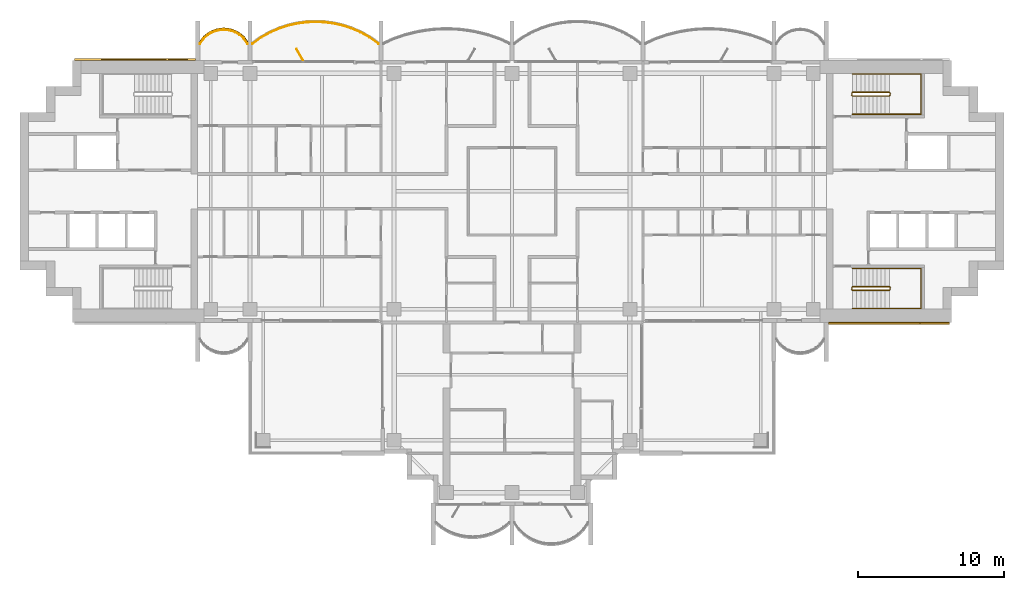
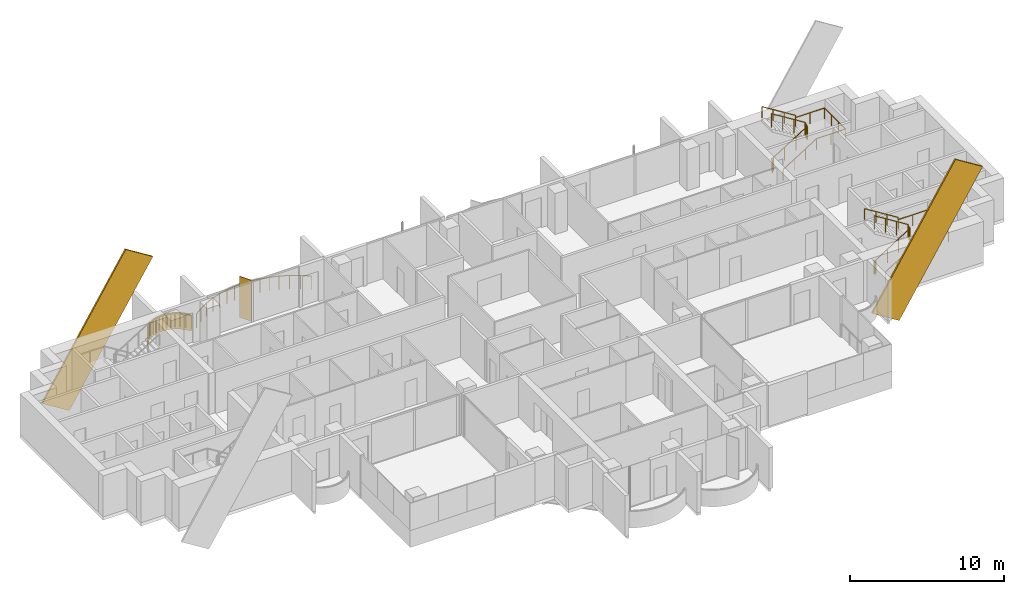
# One storey, part 16 of 17: 6 railings, 3 coverings, 1 shading device.
"""IFC4 building model written with IfcOpenShell, lengths in metres."""

from ifc_helpers import new_model, si_unit, direction, frame, origin, origin_2d, place, context, subcontext, project, spatial, polyline, rectangle, outline, extrude, material, layer, layer_set, material_profile, profile_set, type_object, element, save


model = new_model("IFC4")

# Units and contexts
model_context = context("Model", 3, precision=1e-05, world=origin(), true_north=direction((0.0, 1.0)))
body_context = subcontext(model_context, "Body", "Model", "MODEL_VIEW")
ifc_project = project(units=[si_unit("LENGTHUNIT", "METRE"), si_unit("AREAUNIT", "SQUARE_METRE"), si_unit("VOLUMEUNIT", "CUBIC_METRE"), si_unit("PLANEANGLEUNIT", "RADIAN"), si_unit("MASSUNIT", "GRAM", prefix="KILO")], contexts=[model_context])

# Site, building, storey
site_placement = place(None, origin())
site = spatial("IfcSite", under=ifc_project, at=site_placement, CompositionType="ELEMENT")
building_placement = place(site_placement, origin())
building = spatial("IfcBuilding", under=site, at=building_placement, Name="Perihelion Cross Residences", CompositionType="ELEMENT")
storey_placement = place(building_placement, frame((0.0, 0.0, 187.60009765625)))
storey = spatial("IfcBuildingStorey", under=building, at=storey_placement, Name="L46", CompositionType="ELEMENT", Elevation=187.60009765625)

# Covering
ifc_material_1 = material(Name="Bronze anodised aluminium", Category="aluminium")
ifc_layer_1 = layer(ifc_material_1, 0.070068359375)
ifc_layer_set_1 = layer_set([ifc_layer_1], Name="Balcony fascia 1300")
covering_type_1 = type_object("IfcCoveringType", Name="Balcony fascia 1300", PredefinedType="CLADDING", material=ifc_layer_set_1)
covering_placement = place(storey_placement, frame((0.0, 0.0, -0.2001953125)))
element("IfcCovering", 1, at=covering_placement, inside=storey, type_object=covering_type_1, Name="Fascia BF1 L46 west side north bay 2", PredefinedType="CLADDING", context=body_context, shape_type="SweptSolid", body=[
    extrude(outline(polyline([(-18.373779296875, 10.616455078125), (-18.6591796875, 10.86328125), (-18.9443359375, 11.031494140625), (-19.229736328125, 11.142578125), (-19.514892578125, 11.206298828125), (-19.800048828125, 11.22705078125), (-20.085205078125, 11.206298828125), (-20.370361328125, 11.142578125), (-20.655517578125, 11.031494140625), (-20.94091796875, 10.86328125), (-21.226318359375, 10.616455078125), (-21.449951171875, 10.31689453125), (-21.449951171875, 10.199951171875), (-21.175048828125, 10.568603515625), (-20.89990234375, 10.806396484375), (-20.625, 10.96875), (-20.35009765625, 11.07568359375), (-20.074951171875, 11.136962890625), (-19.800048828125, 11.156982421875), (-19.52490234375, 11.136962890625), (-19.25, 11.07568359375), (-18.97509765625, 10.96875), (-18.699951171875, 10.806396484375), (-18.425048828125, 10.568603515625), (-18.14990234375, 10.199951171875), (-18.14990234375, 10.31689453125), (-18.373779296875, 10.616455078125)])), origin(), (0.0, 0.0, 1.0), 1.300048828125),
])

# Railings
ifc_material_2 = material(Name="Bronze anodised aluminium", Category="aluminium")
railing_type_1 = type_object("IfcRailingType", Name="Balcony guard 1100", PredefinedType="GUARDRAIL", material=ifc_material_2)
railing_1_placement = place(storey_placement, frame((-9.175048828125, 10.139892578125, 0.0)))
element("IfcRailing", 2, at=railing_1_placement, inside=storey, type_object=railing_type_1, Name="Guard GU1 L46 west side north bay 1 balcony", PredefinedType="GUARDRAIL", context=body_context, shape_type="SweptSolid", body=[
    extrude(rectangle(XDim=0.048095703125, YDim=0.048095703125, at=origin_2d()), frame((0.0, 0.0, 1.076171875), z_axis=(-0.808063294873, 0.589095672603, 0.0), x_axis=(-0.589095672603, -0.808063294873, 0.0)), (0.0, 0.0, 1.0), 0.738037109375),
    extrude(rectangle(XDim=0.048095703125, YDim=0.048095703125, at=origin_2d()), frame((-0.596435546875, 0.434814453125, 1.076171875), z_axis=(-0.874578399268, 0.484884134133, 0.0), x_axis=(-0.484884134133, -0.874578399268, 0.0)), (0.0, 0.0, 1.0), 0.71044921875),
    extrude(rectangle(XDim=0.048095703125, YDim=0.048095703125, at=origin_2d()), frame((-1.2177734375, 0.779296875, 1.076171875), z_axis=(-0.917984792895, 0.396615582162, 0.0), x_axis=(-0.396615582162, -0.917984792895, 0.0)), (0.0, 0.0, 1.0), 0.677001953125),
    extrude(rectangle(XDim=0.048095703125, YDim=0.048095703125, at=origin_2d()), frame((-1.83935546875, 1.0478515625, 1.076171875), z_axis=(-0.951157585372, 0.308705762482, 0.0), x_axis=(-0.308705762482, -0.951157585372, 0.0)), (0.0, 0.0, 1.0), 0.6533203125),
    extrude(rectangle(XDim=0.048095703125, YDim=0.048095703125, at=origin_2d()), frame((-2.460693359375, 1.24951171875, 1.076171875), z_axis=(-0.975414431917, 0.220378506229, 0.0), x_axis=(-0.220378506229, -0.975414431917, 0.0)), (0.0, 0.0, 1.0), 0.636962890625),
    extrude(rectangle(XDim=0.048095703125, YDim=0.048095703125, at=origin_2d()), frame((-3.08203125, 1.389892578125, 1.076171875), z_axis=(-0.991251686862, 0.131985201039, 0.0), x_axis=(-0.131985201039, -0.991251686862, 0.0)), (0.0, 0.0, 1.0), 0.626953125),
    extrude(rectangle(XDim=0.048095703125, YDim=0.048095703125, at=origin_2d()), frame((-3.70361328125, 1.47265625, 1.076171875), z_axis=(-0.999033058467, 0.04396530552, 0.0), x_axis=(-0.04396530552, -0.999033058467, 0.0)), (0.0, 0.0, 1.0), 0.621826171875),
    extrude(rectangle(XDim=0.048095703125, YDim=0.048095703125, at=origin_2d()), frame((-4.324951171875, 1.5, 1.076171875), z_axis=(-0.999033058467, -0.04396530552, 0.0), x_axis=(0.04396530552, -0.999033058467, 0.0)), (0.0, 0.0, 1.0), 0.621826171875),
    extrude(rectangle(XDim=0.048095703125, YDim=0.048095703125, at=origin_2d()), frame((-4.9462890625, 1.47265625, 1.076171875), z_axis=(-0.991251686862, -0.131985201039, 0.0), x_axis=(0.131985201039, -0.991251686862, 0.0)), (0.0, 0.0, 1.0), 0.626953125),
    extrude(rectangle(XDim=0.048095703125, YDim=0.048095703125, at=origin_2d()), frame((-5.56787109375, 1.389892578125, 1.076171875), z_axis=(-0.975414431917, -0.220378506229, 0.0), x_axis=(0.220378506229, -0.975414431917, 0.0)), (0.0, 0.0, 1.0), 0.636962890625),
    extrude(rectangle(XDim=0.048095703125, YDim=0.048095703125, at=origin_2d()), frame((-6.189208984375, 1.24951171875, 1.076171875), z_axis=(-0.951157585372, -0.308705762482, 0.0), x_axis=(0.308705762482, -0.951157585372, 0.0)), (0.0, 0.0, 1.0), 0.6533203125),
    extrude(rectangle(XDim=0.048095703125, YDim=0.048095703125, at=origin_2d()), frame((-6.810546875, 1.0478515625, 1.076171875), z_axis=(-0.917984792895, -0.396615582162, 0.0), x_axis=(0.396615582162, -0.917984792895, 0.0)), (0.0, 0.0, 1.0), 0.677001953125),
    extrude(rectangle(XDim=0.048095703125, YDim=0.048095703125, at=origin_2d()), frame((-7.43212890625, 0.779296875, 1.076171875), z_axis=(-0.874578399268, -0.484884134133, 0.0), x_axis=(0.484884134133, -0.874578399268, 0.0)), (0.0, 0.0, 1.0), 0.71044921875),
    extrude(rectangle(XDim=0.048095703125, YDim=0.048095703125, at=origin_2d()), frame((-8.053466796875, 0.434814453125, 1.076171875), z_axis=(-0.808063294873, -0.589095672603, 0.0), x_axis=(0.589095672603, -0.808063294873, 0.0)), (0.0, 0.0, 1.0), 0.738037109375),
    extrude(rectangle(XDim=0.0419921875, YDim=0.0419921875, at=origin_2d()), origin(), (0.0, 0.0, 1.0), 1.052001953125),
    extrude(rectangle(XDim=0.0419921875, YDim=0.0419921875, at=origin_2d()), frame((-0.596435546875, 0.434814453125, 0.0)), (0.0, 0.0, 1.0), 1.052001953125),
    extrude(rectangle(XDim=0.0419921875, YDim=0.0419921875, at=origin_2d()), frame((-1.2177734375, 0.779296875, 0.0)), (0.0, 0.0, 1.0), 1.052001953125),
    extrude(rectangle(XDim=0.0419921875, YDim=0.0419921875, at=origin_2d()), frame((-1.83935546875, 1.0478515625, 0.0)), (0.0, 0.0, 1.0), 1.052001953125),
    extrude(rectangle(XDim=0.0419921875, YDim=0.0419921875, at=origin_2d()), frame((-2.460693359375, 1.24951171875, 0.0)), (0.0, 0.0, 1.0), 1.052001953125),
    extrude(rectangle(XDim=0.0419921875, YDim=0.0419921875, at=origin_2d()), frame((-3.08203125, 1.389892578125, 0.0)), (0.0, 0.0, 1.0), 1.052001953125),
    extrude(rectangle(XDim=0.0419921875, YDim=0.0419921875, at=origin_2d()), frame((-3.70361328125, 1.47265625, 0.0)), (0.0, 0.0, 1.0), 1.052001953125),
    extrude(rectangle(XDim=0.0419921875, YDim=0.0419921875, at=origin_2d()), frame((-4.324951171875, 1.5, 0.0)), (0.0, 0.0, 1.0), 1.052001953125),
    extrude(rectangle(XDim=0.0419921875, YDim=0.0419921875, at=origin_2d()), frame((-4.9462890625, 1.47265625, 0.0)), (0.0, 0.0, 1.0), 1.052001953125),
    extrude(rectangle(XDim=0.0419921875, YDim=0.0419921875, at=origin_2d()), frame((-5.56787109375, 1.389892578125, 0.0)), (0.0, 0.0, 1.0), 1.052001953125),
    extrude(rectangle(XDim=0.0419921875, YDim=0.0419921875, at=origin_2d()), frame((-6.189208984375, 1.24951171875, 0.0)), (0.0, 0.0, 1.0), 1.052001953125),
    extrude(rectangle(XDim=0.0419921875, YDim=0.0419921875, at=origin_2d()), frame((-6.810546875, 1.0478515625, 0.0)), (0.0, 0.0, 1.0), 1.052001953125),
    extrude(rectangle(XDim=0.0419921875, YDim=0.0419921875, at=origin_2d()), frame((-7.43212890625, 0.779296875, 0.0)), (0.0, 0.0, 1.0), 1.052001953125),
    extrude(rectangle(XDim=0.0419921875, YDim=0.0419921875, at=origin_2d()), frame((-8.053466796875, 0.434814453125, 0.0)), (0.0, 0.0, 1.0), 1.052001953125),
    extrude(rectangle(XDim=0.0419921875, YDim=0.0419921875, at=origin_2d()), frame((-8.64990234375, 0.0, 0.0)), (0.0, 0.0, 1.0), 1.052001953125),
])
railing_2_placement = place(storey_placement, frame((-18.175048828125, 10.139892578125, 0.0)))
element("IfcRailing", 3, at=railing_2_placement, inside=storey, type_object=railing_type_1, Name="Guard GU1 L46 west side north bay 2 balcony", PredefinedType="GUARDRAIL", context=body_context, shape_type="SweptSolid", body=[
    extrude(rectangle(XDim=0.048095703125, YDim=0.048095703125, at=origin_2d()), frame((0.0, 0.0, 1.076171875), z_axis=(-0.561260132269, 0.827639452857, 0.0), x_axis=(-0.827639452857, -0.561260132269, 0.0)), (0.0, 0.0, 1.0), 0.4453125),
    extrude(rectangle(XDim=0.048095703125, YDim=0.048095703125, at=origin_2d()), frame((-0.25, 0.36865234375, 1.076171875), z_axis=(-0.756309278473, 0.654214242658, 0.0), x_axis=(-0.654214242658, -0.756309278473, 0.0)), (0.0, 0.0, 1.0), 0.363525390625),
    extrude(rectangle(XDim=0.048095703125, YDim=0.048095703125, at=origin_2d()), frame((-0.52490234375, 0.6064453125, 1.076171875), z_axis=(-0.861245845072, 0.508188542123, 0.0), x_axis=(-0.508188542123, -0.861245845072, 0.0)), (0.0, 0.0, 1.0), 0.319580078125),
    extrude(rectangle(XDim=0.048095703125, YDim=0.048095703125, at=origin_2d()), frame((-0.800048828125, 0.768798828125, 1.076171875), z_axis=(-0.931973602183, 0.362526143656, 0.0), x_axis=(-0.362526143656, -0.931973602183, 0.0)), (0.0, 0.0, 1.0), 0.294921875),
    extrude(rectangle(XDim=0.048095703125, YDim=0.048095703125, at=origin_2d()), frame((-1.074951171875, 0.875732421875, 1.076171875), z_axis=(-0.976044077717, 0.217572880557, 0.0), x_axis=(-0.217572880557, -0.976044077717, 0.0)), (0.0, 0.0, 1.0), 0.28173828125),
    extrude(rectangle(XDim=0.048095703125, YDim=0.048095703125, at=origin_2d()), frame((-1.349853515625, 0.93701171875, 1.076171875), z_axis=(-0.997363488337, 0.072567707226, 0.0), x_axis=(-0.072567707226, -0.997363488337, 0.0)), (0.0, 0.0, 1.0), 0.27587890625),
    extrude(rectangle(XDim=0.048095703125, YDim=0.048095703125, at=origin_2d()), frame((-1.625, 0.95703125, 1.076171875), z_axis=(-0.997358821833, -0.072631814734, 0.0), x_axis=(0.072631814734, -0.997358821833, 0.0)), (0.0, 0.0, 1.0), 0.275634765625),
    extrude(rectangle(XDim=0.048095703125, YDim=0.048095703125, at=origin_2d()), frame((-1.89990234375, 0.93701171875, 1.076171875), z_axis=(-0.976085059389, -0.21738895289, 0.0), x_axis=(0.21738895289, -0.976085059389, 0.0)), (0.0, 0.0, 1.0), 0.281982421875),
    extrude(rectangle(XDim=0.048095703125, YDim=0.048095703125, at=origin_2d()), frame((-2.175048828125, 0.875732421875, 1.076171875), z_axis=(-0.931973602183, -0.362526143656, 0.0), x_axis=(0.362526143656, -0.931973602183, 0.0)), (0.0, 0.0, 1.0), 0.294921875),
    extrude(rectangle(XDim=0.048095703125, YDim=0.048095703125, at=origin_2d()), frame((-2.449951171875, 0.768798828125, 1.076171875), z_axis=(-0.861048292884, -0.508523192511, 0.0), x_axis=(0.508523192511, -0.861048292884, 0.0)), (0.0, 0.0, 1.0), 0.3193359375),
    extrude(rectangle(XDim=0.048095703125, YDim=0.048095703125, at=origin_2d()), frame((-2.724853515625, 0.6064453125, 1.076171875), z_axis=(-0.756596535164, -0.653882009982, 0.0), x_axis=(0.653882009982, -0.756596535164, 0.0)), (0.0, 0.0, 1.0), 0.36376953125),
    extrude(rectangle(XDim=0.048095703125, YDim=0.048095703125, at=origin_2d()), frame((-3.0, 0.36865234375, 1.076171875), z_axis=(-0.561260132269, -0.827639452857, 0.0), x_axis=(0.827639452857, -0.561260132269, 0.0)), (0.0, 0.0, 1.0), 0.4453125),
    extrude(rectangle(XDim=0.0419921875, YDim=0.0419921875, at=origin_2d()), origin(), (0.0, 0.0, 1.0), 1.052001953125),
    extrude(rectangle(XDim=0.0419921875, YDim=0.0419921875, at=origin_2d()), frame((-0.25, 0.36865234375, 0.0)), (0.0, 0.0, 1.0), 1.052001953125),
    extrude(rectangle(XDim=0.0419921875, YDim=0.0419921875, at=origin_2d()), frame((-0.52490234375, 0.6064453125, 0.0)), (0.0, 0.0, 1.0), 1.052001953125),
    extrude(rectangle(XDim=0.0419921875, YDim=0.0419921875, at=origin_2d()), frame((-0.800048828125, 0.768798828125, 0.0)), (0.0, 0.0, 1.0), 1.052001953125),
    extrude(rectangle(XDim=0.0419921875, YDim=0.0419921875, at=origin_2d()), frame((-1.074951171875, 0.875732421875, 0.0)), (0.0, 0.0, 1.0), 1.052001953125),
    extrude(rectangle(XDim=0.0419921875, YDim=0.0419921875, at=origin_2d()), frame((-1.349853515625, 0.93701171875, 0.0)), (0.0, 0.0, 1.0), 1.052001953125),
    extrude(rectangle(XDim=0.0419921875, YDim=0.0419921875, at=origin_2d()), frame((-1.625, 0.95703125, 0.0)), (0.0, 0.0, 1.0), 1.052001953125),
    extrude(rectangle(XDim=0.0419921875, YDim=0.0419921875, at=origin_2d()), frame((-1.89990234375, 0.93701171875, 0.0)), (0.0, 0.0, 1.0), 1.052001953125),
    extrude(rectangle(XDim=0.0419921875, YDim=0.0419921875, at=origin_2d()), frame((-2.175048828125, 0.875732421875, 0.0)), (0.0, 0.0, 1.0), 1.052001953125),
    extrude(rectangle(XDim=0.0419921875, YDim=0.0419921875, at=origin_2d()), frame((-2.449951171875, 0.768798828125, 0.0)), (0.0, 0.0, 1.0), 1.052001953125),
    extrude(rectangle(XDim=0.0419921875, YDim=0.0419921875, at=origin_2d()), frame((-2.724853515625, 0.6064453125, 0.0)), (0.0, 0.0, 1.0), 1.052001953125),
    extrude(rectangle(XDim=0.0419921875, YDim=0.0419921875, at=origin_2d()), frame((-3.0, 0.36865234375, 0.0)), (0.0, 0.0, 1.0), 1.052001953125),
    extrude(rectangle(XDim=0.0419921875, YDim=0.0419921875, at=origin_2d()), frame((-3.25, 0.0, 0.0)), (0.0, 0.0, 1.0), 1.052001953125),
])

# Coverings
ifc_material_3 = material(Name="Bronze anodised aluminium", Category="aluminium")
ifc_material_profile = material_profile(ifc_material_3, rectangle(XDim=0.125, YDim=2.39990234375, at=origin_2d()), Name="Bronze cladding band 2400")
ifc_profile_set = profile_set([ifc_material_profile], Name="Bronze anodised aluminium")
covering_type_2 = type_object("IfcCoveringType", Name="Bronze cladding band 2400", PredefinedType="CLADDING", material=ifc_profile_set)
for number, where, z_axis, x_axis, name in (
    (4, (22.767578125, -9.0625, -1.679931640625), (0.529915403603, 0.0, 0.848050508534), (0.0, 1.0, 0.0), "Core cladding band, east core"),
    (5, (-29.0322265625, 9.0625, -1.679931640625), (0.529915403603, 0.0, 0.848050508534), (0.0, 1.0, 0.0), "Core cladding band, west core"),
):
    element("IfcCovering", number, at=place(storey_placement, frame(where, z_axis=z_axis, x_axis=x_axis)), inside=storey, type_object=covering_type_2, Name=name, PredefinedType="CLADDING", context=body_context, shape_type="SweptSolid", body=[
        extrude(rectangle(XDim=0.125, YDim=2.39990234375, at=origin_2d()), origin(), (0.0, 0.0, 1.0), 11.822021484375),
    ])

# Shading device
ifc_material_4 = material(Name="Bronze anodised aluminium", Category="aluminium")
ifc_layer_2 = layer(ifc_material_4, 0.050048828125)
ifc_layer_set_2 = layer_set([ifc_layer_2], Name="Bronze fin 900")
shading_device_type = type_object("IfcShadingDeviceType", Name="Bronze fin 900", PredefinedType="USERDEFINED", material=ifc_layer_set_2)
shading_device_placement = place(storey_placement, frame((-14.574951171875, 9.3896484375, 0.0), z_axis=(0.0, 0.0, 1.0), x_axis=(-0.5, 0.866025403784, 0.0)))
element("IfcShadingDevice", 6, at=shading_device_placement, inside=storey, type_object=shading_device_type, Name="Fin FN1 L46 west side north bay 1", ObjectType="FIN", PredefinedType="USERDEFINED", context=body_context, shape_type="SweptSolid", body=[
    extrude(rectangle(XDim=0.89990234375, YDim=0.050048828125, at=origin_2d()), origin(), (0.0, 0.0, 1.0), 3.25),
])

# Railings
ifc_material_5 = material(Name="Stainless steel", Category="steel")
railing_type_2 = type_object("IfcRailingType", Name="Stair guard 1100", PredefinedType="GUARDRAIL", material=ifc_material_5)
railing_3_placement = place(storey_placement, frame((23.35009765625, 6.75, 0.0)))
element("IfcRailing", 7, at=railing_3_placement, inside=storey, type_object=railing_type_2, Name="L46 ST-E1 stair guard 1", PredefinedType="GUARDRAIL", context=body_context, shape_type="SweptSolid", body=[
    extrude(rectangle(XDim=0.048095703125, YDim=0.048095703125, at=origin_2d()), frame((0.0, 0.0, 1.076171875), z_axis=(0.0, -1.0, 0.0), x_axis=(1.0, 0.0, 0.0)), (0.0, 0.0, 1.0), 0.14990234375),
    extrude(rectangle(XDim=0.048095703125, YDim=0.048095703125, at=origin_2d()), frame((0.0, -0.14990234375, 1.076171875), z_axis=(0.264179342666, -0.265474339444, 0.927217692888), x_axis=(0.708833529934, 0.705375805398, 0.0)), (0.0, 0.0, 1.0), 0.1884765625),
    extrude(rectangle(XDim=0.048095703125, YDim=0.048095703125, at=origin_2d()), frame((0.0498046875, -0.199951171875, 1.2509765625), z_axis=(0.847970611238, 0.0, 0.530043245855), x_axis=(0.0, 1.0, 0.0)), (0.0, 0.0, 1.0), 2.971923828125),
    extrude(rectangle(XDim=0.048095703125, YDim=0.048095703125, at=origin_2d()), frame((2.56982421875, -0.199951171875, 2.826171875), z_axis=(0.707106781187, 0.707106781187, 0.0), x_axis=(-0.707106781187, 0.707106781187, 0.0)), (0.0, 0.0, 1.0), 0.07080078125),
    extrude(rectangle(XDim=0.048095703125, YDim=0.048095703125, at=origin_2d()), frame((2.619873046875, -0.14990234375, 2.826171875), z_axis=(0.0, 1.0, 0.0), x_axis=(-1.0, 0.0, 0.0)), (0.0, 0.0, 1.0), 0.14990234375),
    extrude(rectangle(XDim=0.048095703125, YDim=0.048095703125, at=origin_2d()), frame((2.619873046875, 0.0, 2.826171875), z_axis=(-0.265383341853, 0.265383341853, 0.926899867156), x_axis=(-0.707106781187, -0.707106781187, 0.0)), (0.0, 0.0, 1.0), 0.1884765625),
    extrude(rectangle(XDim=0.048095703125, YDim=0.048095703125, at=origin_2d()), frame((2.56982421875, 0.050048828125, 3.0009765625), z_axis=(-0.847970611238, 0.0, 0.530043245855), x_axis=(0.0, -1.0, 0.0)), (0.0, 0.0, 1.0), 2.971923828125),
    extrude(rectangle(XDim=0.0419921875, YDim=0.0419921875, at=origin_2d()), origin(), (0.0, 0.0, 1.0), 1.052001953125),
    extrude(rectangle(XDim=0.0419921875, YDim=0.0419921875, at=origin_2d()), frame((0.0, -0.14990234375, 0.0)), (0.0, 0.0, 1.0), 1.052001953125),
    extrude(rectangle(XDim=0.0419921875, YDim=0.0419921875, at=origin_2d()), frame((0.0498046875, -0.199951171875, 0.1748046875)), (0.0, 0.0, 1.0), 1.052001953125),
    extrude(rectangle(XDim=0.0419921875, YDim=0.0419921875, at=origin_2d()), frame((0.889892578125, -0.199951171875, 0.699951171875)), (0.0, 0.0, 1.0), 1.052001953125),
    extrude(rectangle(XDim=0.0419921875, YDim=0.0419921875, at=origin_2d()), frame((1.729736328125, -0.199951171875, 1.224853515625)), (0.0, 0.0, 1.0), 1.052001953125),
    extrude(rectangle(XDim=0.0419921875, YDim=0.0419921875, at=origin_2d()), frame((2.56982421875, -0.199951171875, 1.75)), (0.0, 0.0, 1.0), 1.052001953125),
    extrude(rectangle(XDim=0.0419921875, YDim=0.0419921875, at=origin_2d()), frame((2.619873046875, -0.14990234375, 1.75)), (0.0, 0.0, 1.0), 1.052001953125),
    extrude(rectangle(XDim=0.0419921875, YDim=0.0419921875, at=origin_2d()), frame((2.619873046875, 0.0, 1.75)), (0.0, 0.0, 1.0), 1.052001953125),
    extrude(rectangle(XDim=0.0419921875, YDim=0.0419921875, at=origin_2d()), frame((2.56982421875, 0.050048828125, 1.9248046875)), (0.0, 0.0, 1.0), 1.052001953125),
    extrude(rectangle(XDim=0.0419921875, YDim=0.0419921875, at=origin_2d()), frame((1.729736328125, 0.050048828125, 2.449951171875)), (0.0, 0.0, 1.0), 1.052001953125),
    extrude(rectangle(XDim=0.0419921875, YDim=0.0419921875, at=origin_2d()), frame((0.889892578125, 0.050048828125, 2.974853515625)), (0.0, 0.0, 1.0), 1.052001953125),
    extrude(rectangle(XDim=0.0419921875, YDim=0.0419921875, at=origin_2d()), frame((0.0498046875, 0.050048828125, 3.5)), (0.0, 0.0, 1.0), 1.052001953125),
])
railing_4_placement = place(storey_placement, frame((23.35009765625, -6.60009765625, 0.0)))
element("IfcRailing", 8, at=railing_4_placement, inside=storey, type_object=railing_type_2, Name="L46 ST-E2 stair guard 1", PredefinedType="GUARDRAIL", context=body_context, shape_type="SweptSolid", body=[
    extrude(rectangle(XDim=0.048095703125, YDim=0.048095703125, at=origin_2d()), frame((0.0, 0.0, 1.076171875), z_axis=(0.0, -1.0, 0.0), x_axis=(1.0, 0.0, 0.0)), (0.0, 0.0, 1.0), 0.14990234375),
    extrude(rectangle(XDim=0.048095703125, YDim=0.048095703125, at=origin_2d()), frame((0.0, -0.14990234375, 1.076171875), z_axis=(0.264179342666, -0.265474339444, 0.927217692888), x_axis=(0.708833529934, 0.705375805398, 0.0)), (0.0, 0.0, 1.0), 0.1884765625),
    extrude(rectangle(XDim=0.048095703125, YDim=0.048095703125, at=origin_2d()), frame((0.0498046875, -0.199951171875, 1.2509765625), z_axis=(0.847970611238, 0.0, 0.530043245855), x_axis=(0.0, 1.0, 0.0)), (0.0, 0.0, 1.0), 2.971923828125),
    extrude(rectangle(XDim=0.048095703125, YDim=0.048095703125, at=origin_2d()), frame((2.56982421875, -0.199951171875, 2.826171875), z_axis=(0.707106781187, 0.707106781187, 0.0), x_axis=(-0.707106781187, 0.707106781187, 0.0)), (0.0, 0.0, 1.0), 0.07080078125),
    extrude(rectangle(XDim=0.048095703125, YDim=0.048095703125, at=origin_2d()), frame((2.619873046875, -0.14990234375, 2.826171875), z_axis=(0.0, 1.0, 0.0), x_axis=(-1.0, 0.0, 0.0)), (0.0, 0.0, 1.0), 0.14990234375),
    extrude(rectangle(XDim=0.048095703125, YDim=0.048095703125, at=origin_2d()), frame((2.619873046875, 0.0, 2.826171875), z_axis=(-0.265383341853, 0.265383341853, 0.926899867156), x_axis=(-0.707106781187, -0.707106781187, 0.0)), (0.0, 0.0, 1.0), 0.1884765625),
    extrude(rectangle(XDim=0.048095703125, YDim=0.048095703125, at=origin_2d()), frame((2.56982421875, 0.050048828125, 3.0009765625), z_axis=(-0.847970611238, 0.0, 0.530043245855), x_axis=(0.0, -1.0, 0.0)), (0.0, 0.0, 1.0), 2.971923828125),
    extrude(rectangle(XDim=0.0419921875, YDim=0.0419921875, at=origin_2d()), origin(), (0.0, 0.0, 1.0), 1.052001953125),
    extrude(rectangle(XDim=0.0419921875, YDim=0.0419921875, at=origin_2d()), frame((0.0, -0.14990234375, 0.0)), (0.0, 0.0, 1.0), 1.052001953125),
    extrude(rectangle(XDim=0.0419921875, YDim=0.0419921875, at=origin_2d()), frame((0.0498046875, -0.199951171875, 0.1748046875)), (0.0, 0.0, 1.0), 1.052001953125),
    extrude(rectangle(XDim=0.0419921875, YDim=0.0419921875, at=origin_2d()), frame((0.889892578125, -0.199951171875, 0.699951171875)), (0.0, 0.0, 1.0), 1.052001953125),
    extrude(rectangle(XDim=0.0419921875, YDim=0.0419921875, at=origin_2d()), frame((1.729736328125, -0.199951171875, 1.224853515625)), (0.0, 0.0, 1.0), 1.052001953125),
    extrude(rectangle(XDim=0.0419921875, YDim=0.0419921875, at=origin_2d()), frame((2.56982421875, -0.199951171875, 1.75)), (0.0, 0.0, 1.0), 1.052001953125),
    extrude(rectangle(XDim=0.0419921875, YDim=0.0419921875, at=origin_2d()), frame((2.619873046875, -0.14990234375, 1.75)), (0.0, 0.0, 1.0), 1.052001953125),
    extrude(rectangle(XDim=0.0419921875, YDim=0.0419921875, at=origin_2d()), frame((2.619873046875, 0.0, 1.75)), (0.0, 0.0, 1.0), 1.052001953125),
    extrude(rectangle(XDim=0.0419921875, YDim=0.0419921875, at=origin_2d()), frame((2.56982421875, 0.050048828125, 1.9248046875)), (0.0, 0.0, 1.0), 1.052001953125),
    extrude(rectangle(XDim=0.0419921875, YDim=0.0419921875, at=origin_2d()), frame((1.729736328125, 0.050048828125, 2.449951171875)), (0.0, 0.0, 1.0), 1.052001953125),
    extrude(rectangle(XDim=0.0419921875, YDim=0.0419921875, at=origin_2d()), frame((0.889892578125, 0.050048828125, 2.974853515625)), (0.0, 0.0, 1.0), 1.052001953125),
    extrude(rectangle(XDim=0.0419921875, YDim=0.0419921875, at=origin_2d()), frame((0.0498046875, 0.050048828125, 3.5)), (0.0, 0.0, 1.0), 1.052001953125),
])
ifc_material_6 = material(Name="Stainless steel", Category="steel")
railing_type_3 = type_object("IfcRailingType", Name="Stair handrail 900", PredefinedType="HANDRAIL", material=ifc_material_6)
railing_5_placement = place(storey_placement, frame((23.39990234375, 5.300048828125, 0.1748046875)))
element("IfcRailing", 9, at=railing_5_placement, inside=storey, type_object=railing_type_3, Name="L46 ST-E1 stair handrail 1", PredefinedType="HANDRAIL", context=body_context, shape_type="SweptSolid", body=[
    extrude(rectangle(XDim=0.048095703125, YDim=0.048095703125, at=origin_2d()), frame((0.0, 0.0, 0.8759765625), z_axis=(0.847970611238, 0.0, 0.530043245855), x_axis=(0.0, 1.0, 0.0)), (0.0, 0.0, 1.0), 2.971923828125),
    extrude(rectangle(XDim=0.048095703125, YDim=0.048095703125, at=origin_2d()), frame((2.52001953125, 0.0, 2.451171875), z_axis=(1.0, 0.0, 0.0), x_axis=(0.0, 1.0, 0.0)), (0.0, 0.0, 1.0), 2.18017578125),
    extrude(rectangle(XDim=0.048095703125, YDim=0.048095703125, at=origin_2d()), frame((4.7001953125, 0.0, 2.451171875), z_axis=(0.0, 1.0, 0.0), x_axis=(-1.0, 0.0, 0.0)), (0.0, 0.0, 1.0), 2.75),
    extrude(rectangle(XDim=0.048095703125, YDim=0.048095703125, at=origin_2d()), frame((4.7001953125, 2.75, 2.451171875), z_axis=(-1.0, 0.0, 0.0), x_axis=(0.0, -1.0, 0.0)), (0.0, 0.0, 1.0), 2.18017578125),
    extrude(rectangle(XDim=0.048095703125, YDim=0.048095703125, at=origin_2d()), frame((2.52001953125, 2.75, 2.451171875), z_axis=(0.0, 0.0, 1.0), x_axis=(1.0, 0.0, 0.0)), (0.0, 0.0, 1.0), 0.1748046875),
    extrude(rectangle(XDim=0.048095703125, YDim=0.048095703125, at=origin_2d()), frame((2.52001953125, 2.75, 2.6259765625), z_axis=(-0.847970611238, 0.0, 0.530043245855), x_axis=(0.0, -1.0, 0.0)), (0.0, 0.0, 1.0), 2.971923828125),
    extrude(rectangle(XDim=0.0419921875, YDim=0.0419921875, at=origin_2d()), origin(), (0.0, 0.0, 1.0), 0.851806640625),
    extrude(rectangle(XDim=0.0419921875, YDim=0.0419921875, at=origin_2d()), frame((0.840087890625, 0.0, 0.525146484375)), (0.0, 0.0, 1.0), 0.851806640625),
    extrude(rectangle(XDim=0.0419921875, YDim=0.0419921875, at=origin_2d()), frame((1.679931640625, 0.0, 1.050048828125)), (0.0, 0.0, 1.0), 0.851806640625),
    extrude(rectangle(XDim=0.0419921875, YDim=0.0419921875, at=origin_2d()), frame((2.52001953125, 0.0, 1.5751953125)), (0.0, 0.0, 1.0), 0.851806640625),
    extrude(rectangle(XDim=0.0419921875, YDim=0.0419921875, at=origin_2d()), frame((3.610107421875, 0.0, 1.5751953125)), (0.0, 0.0, 1.0), 0.851806640625),
    extrude(rectangle(XDim=0.0419921875, YDim=0.0419921875, at=origin_2d()), frame((4.7001953125, 0.0, 1.5751953125)), (0.0, 0.0, 1.0), 0.851806640625),
    extrude(rectangle(XDim=0.0419921875, YDim=0.0419921875, at=origin_2d()), frame((4.7001953125, 0.916748046875, 1.5751953125)), (0.0, 0.0, 1.0), 0.851806640625),
    extrude(rectangle(XDim=0.0419921875, YDim=0.0419921875, at=origin_2d()), frame((4.7001953125, 1.833251953125, 1.5751953125)), (0.0, 0.0, 1.0), 0.851806640625),
    extrude(rectangle(XDim=0.0419921875, YDim=0.0419921875, at=origin_2d()), frame((4.7001953125, 2.75, 1.5751953125)), (0.0, 0.0, 1.0), 0.851806640625),
    extrude(rectangle(XDim=0.0419921875, YDim=0.0419921875, at=origin_2d()), frame((3.610107421875, 2.75, 1.5751953125)), (0.0, 0.0, 1.0), 0.851806640625),
    extrude(rectangle(XDim=0.0419921875, YDim=0.0419921875, at=origin_2d()), frame((2.52001953125, 2.75, 1.5751953125)), (0.0, 0.0, 1.0), 0.851806640625),
    extrude(rectangle(XDim=0.0419921875, YDim=0.0419921875, at=origin_2d()), frame((2.52001953125, 2.75, 1.75)), (0.0, 0.0, 1.0), 0.851806640625),
    extrude(rectangle(XDim=0.0419921875, YDim=0.0419921875, at=origin_2d()), frame((1.679931640625, 2.75, 2.275146484375)), (0.0, 0.0, 1.0), 0.851806640625),
    extrude(rectangle(XDim=0.0419921875, YDim=0.0419921875, at=origin_2d()), frame((0.840087890625, 2.75, 2.800048828125)), (0.0, 0.0, 1.0), 0.851806640625),
    extrude(rectangle(XDim=0.0419921875, YDim=0.0419921875, at=origin_2d()), frame((0.0, 2.75, 3.3251953125)), (0.0, 0.0, 1.0), 0.851806640625),
])
railing_6_placement = place(storey_placement, frame((23.39990234375, -8.050048828125, 0.1748046875)))
element("IfcRailing", 10, at=railing_6_placement, inside=storey, type_object=railing_type_3, Name="L46 ST-E2 stair handrail 1", PredefinedType="HANDRAIL", context=body_context, shape_type="SweptSolid", body=[
    extrude(rectangle(XDim=0.048095703125, YDim=0.048095703125, at=origin_2d()), frame((0.0, 0.0, 0.8759765625), z_axis=(0.847970611238, 0.0, 0.530043245855), x_axis=(0.0, 1.0, 0.0)), (0.0, 0.0, 1.0), 2.971923828125),
    extrude(rectangle(XDim=0.048095703125, YDim=0.048095703125, at=origin_2d()), frame((2.52001953125, 0.0, 2.451171875), z_axis=(1.0, 0.0, 0.0), x_axis=(0.0, 1.0, 0.0)), (0.0, 0.0, 1.0), 2.18017578125),
    extrude(rectangle(XDim=0.048095703125, YDim=0.048095703125, at=origin_2d()), frame((4.7001953125, 0.0, 2.451171875), z_axis=(0.0, 1.0, 0.0), x_axis=(-1.0, 0.0, 0.0)), (0.0, 0.0, 1.0), 2.75),
    extrude(rectangle(XDim=0.048095703125, YDim=0.048095703125, at=origin_2d()), frame((4.7001953125, 2.75, 2.451171875), z_axis=(-1.0, 0.0, 0.0), x_axis=(0.0, -1.0, 0.0)), (0.0, 0.0, 1.0), 2.18017578125),
    extrude(rectangle(XDim=0.048095703125, YDim=0.048095703125, at=origin_2d()), frame((2.52001953125, 2.75, 2.451171875), z_axis=(0.0, 0.0, 1.0), x_axis=(1.0, 0.0, 0.0)), (0.0, 0.0, 1.0), 0.1748046875),
    extrude(rectangle(XDim=0.048095703125, YDim=0.048095703125, at=origin_2d()), frame((2.52001953125, 2.75, 2.6259765625), z_axis=(-0.847970611238, 0.0, 0.530043245855), x_axis=(0.0, -1.0, 0.0)), (0.0, 0.0, 1.0), 2.971923828125),
    extrude(rectangle(XDim=0.0419921875, YDim=0.0419921875, at=origin_2d()), origin(), (0.0, 0.0, 1.0), 0.851806640625),
    extrude(rectangle(XDim=0.0419921875, YDim=0.0419921875, at=origin_2d()), frame((0.840087890625, 0.0, 0.525146484375)), (0.0, 0.0, 1.0), 0.851806640625),
    extrude(rectangle(XDim=0.0419921875, YDim=0.0419921875, at=origin_2d()), frame((1.679931640625, 0.0, 1.050048828125)), (0.0, 0.0, 1.0), 0.851806640625),
    extrude(rectangle(XDim=0.0419921875, YDim=0.0419921875, at=origin_2d()), frame((2.52001953125, 0.0, 1.5751953125)), (0.0, 0.0, 1.0), 0.851806640625),
    extrude(rectangle(XDim=0.0419921875, YDim=0.0419921875, at=origin_2d()), frame((3.610107421875, 0.0, 1.5751953125)), (0.0, 0.0, 1.0), 0.851806640625),
    extrude(rectangle(XDim=0.0419921875, YDim=0.0419921875, at=origin_2d()), frame((4.7001953125, 0.0, 1.5751953125)), (0.0, 0.0, 1.0), 0.851806640625),
    extrude(rectangle(XDim=0.0419921875, YDim=0.0419921875, at=origin_2d()), frame((4.7001953125, 0.916748046875, 1.5751953125)), (0.0, 0.0, 1.0), 0.851806640625),
    extrude(rectangle(XDim=0.0419921875, YDim=0.0419921875, at=origin_2d()), frame((4.7001953125, 1.833251953125, 1.5751953125)), (0.0, 0.0, 1.0), 0.851806640625),
    extrude(rectangle(XDim=0.0419921875, YDim=0.0419921875, at=origin_2d()), frame((4.7001953125, 2.75, 1.5751953125)), (0.0, 0.0, 1.0), 0.851806640625),
    extrude(rectangle(XDim=0.0419921875, YDim=0.0419921875, at=origin_2d()), frame((3.610107421875, 2.75, 1.5751953125)), (0.0, 0.0, 1.0), 0.851806640625),
    extrude(rectangle(XDim=0.0419921875, YDim=0.0419921875, at=origin_2d()), frame((2.52001953125, 2.75, 1.5751953125)), (0.0, 0.0, 1.0), 0.851806640625),
    extrude(rectangle(XDim=0.0419921875, YDim=0.0419921875, at=origin_2d()), frame((2.52001953125, 2.75, 1.75)), (0.0, 0.0, 1.0), 0.851806640625),
    extrude(rectangle(XDim=0.0419921875, YDim=0.0419921875, at=origin_2d()), frame((1.679931640625, 2.75, 2.275146484375)), (0.0, 0.0, 1.0), 0.851806640625),
    extrude(rectangle(XDim=0.0419921875, YDim=0.0419921875, at=origin_2d()), frame((0.840087890625, 2.75, 2.800048828125)), (0.0, 0.0, 1.0), 0.851806640625),
    extrude(rectangle(XDim=0.0419921875, YDim=0.0419921875, at=origin_2d()), frame((0.0, 2.75, 3.3251953125)), (0.0, 0.0, 1.0), 0.851806640625),
])

save(model, "model.ifc")
